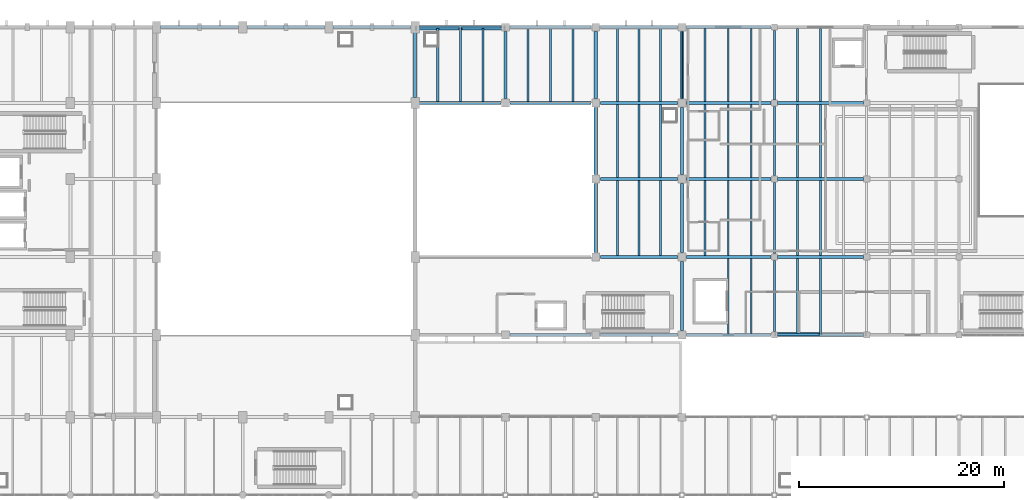
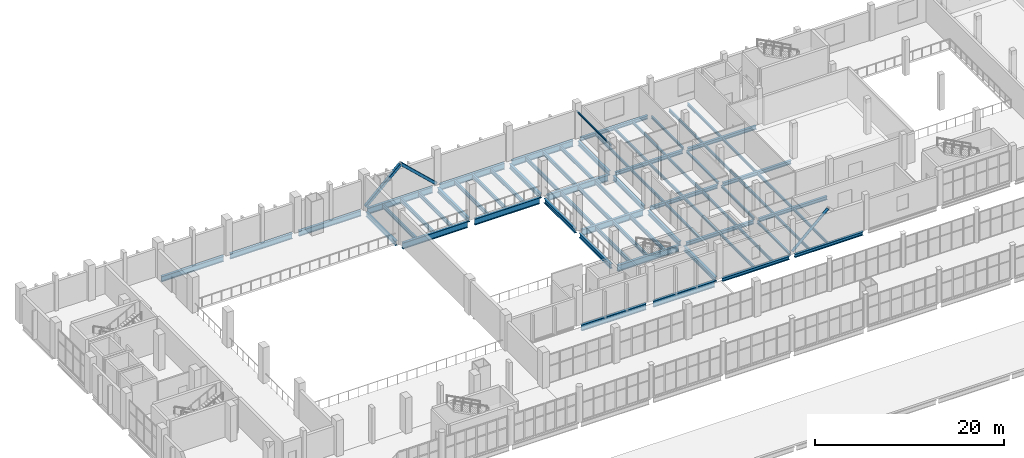
# One storey, part 66 of 136: 70 beams, 3 members.
"""IFC4 building model written with IfcOpenShell, lengths in metres."""

from ifc_helpers import new_model, si_unit, direction, frame, origin, origin_2d, place, context, subcontext, project, spatial, hollow_rectangle, hollow_circle, i_section, extrude, material, material_profile, profile_set, type_object, element, save


model = new_model("IFC4")

# Units and contexts
model_context = context("Model", 3, precision=1e-05, world=origin(), true_north=direction((0.0, 1.0)))
body_context = subcontext(model_context, "Body", "Model", "MODEL_VIEW")
ifc_project = project(units=[si_unit("LENGTHUNIT", "METRE"), si_unit("AREAUNIT", "SQUARE_METRE"), si_unit("VOLUMEUNIT", "CUBIC_METRE"), si_unit("PLANEANGLEUNIT", "RADIAN"), si_unit("MASSUNIT", "GRAM", prefix="KILO")], contexts=[model_context])

# Site, building, storey
site_placement = place(None, origin())
site = spatial("IfcSite", under=ifc_project, at=site_placement, CompositionType="ELEMENT")
building_placement = place(site_placement, origin())
building = spatial("IfcBuilding", under=site, at=building_placement, Name="Shengluoqiao Park Theatre", CompositionType="ELEMENT")
storey_placement = place(building_placement, frame((0.0, 0.0, 10.0)))
storey = spatial("IfcBuildingStorey", under=building, at=storey_placement, Name="L02", CompositionType="ELEMENT", Elevation=10.0)

# Beams
ifc_material_1 = material(Name="Steel Q355", Category="steel")
ifc_material_profile_1 = material_profile(ifc_material_1, i_section(OverallWidth=0.199951171875, OverallDepth=0.2939453125, WebThickness=0.008056640625, FlangeThickness=0.011962890625, FilletRadius=0.01611328125, at=origin_2d()), Name="HM 294x200x8x12")
ifc_profile_set_1 = profile_set([ifc_material_profile_1], Name="Steel Q355")
beam_type_1 = type_object("IfcBeamType", Name="STR-BM-G-HM294", PredefinedType="BEAM", material=ifc_profile_set_1)
beam_1_placement = place(storey_placement, frame((121.39990234375, 84.319091796875, -0.386962890625), z_axis=(0.0, 1.0, 0.0), x_axis=(-1.0, 0.0, 0.0)))
element("IfcBeam", 1, at=beam_1_placement, inside=storey, type_object=beam_type_1, Name="L02 Transverse Girder 01068", PredefinedType="BEAM", context=body_context, shape_type="SweptSolid", body=[
    extrude(i_section(OverallWidth=0.199951171875, OverallDepth=0.2939453125, WebThickness=0.008056640625, FlangeThickness=0.011962890625, FilletRadius=0.01611328125, at=origin_2d()), origin(), (0.0, 0.0, 1.0), 6.9619140625),
])
beam_2_placement = place(storey_placement, frame((121.39990234375, 91.9189453125, -0.386962890625), z_axis=(0.0, 1.0, 0.0), x_axis=(-1.0, 0.0, 0.0)))
element("IfcBeam", 2, at=beam_2_placement, inside=storey, type_object=beam_type_1, Name="L02 Transverse Girder 01069", PredefinedType="BEAM", context=body_context, shape_type="SweptSolid", body=[
    extrude(i_section(OverallWidth=0.199951171875, OverallDepth=0.2939453125, WebThickness=0.008056640625, FlangeThickness=0.011962890625, FilletRadius=0.01611328125, at=origin_2d()), origin(), (0.0, 0.0, 1.0), 6.962158203125),
])
for number, where, z_axis, x_axis, name in (
    (3, (121.39990234375, 99.51904296875, -0.386962890625), (0.0, 1.0, 0.0), (-1.0, 0.0, 0.0), "L02 Transverse Girder 01070"),
    (4, (121.39990234375, 106.9189453125, -0.386962890625), (0.0, 1.0, 0.0), (-1.0, 0.0, 0.0), "L02 Transverse Girder 01071"),
):
    element("IfcBeam", number, at=place(storey_placement, frame(where, z_axis=z_axis, x_axis=x_axis)), inside=storey, type_object=beam_type_1, Name=name, PredefinedType="BEAM", context=body_context, shape_type="SweptSolid", body=[
        extrude(i_section(OverallWidth=0.199951171875, OverallDepth=0.2939453125, WebThickness=0.008056640625, FlangeThickness=0.011962890625, FilletRadius=0.01611328125, at=origin_2d()), origin(), (0.0, 0.0, 1.0), 6.761962890625),
    ])
ifc_material_profile_2 = material_profile(ifc_material_1, i_section(OverallWidth=0.300048828125, OverallDepth=0.43994140625, WebThickness=0.010986328125, FlangeThickness=0.01806640625, FilletRadius=0.02001953125, at=origin_2d()), Name="HM 440x300x11x18")
ifc_profile_set_2 = profile_set([ifc_material_profile_2], Name="Steel Q355")
beam_type_2 = type_object("IfcBeamType", Name="STR-BM-G-HM440", PredefinedType="BEAM", material=ifc_profile_set_2)
beam_3_placement = place(storey_placement, frame((112.843994140625, 84.0, -0.4599609375), z_axis=(1.0, 0.0, 0.0), x_axis=(0.0, 1.0, 0.0)))
element("IfcBeam", 5, at=beam_3_placement, inside=storey, type_object=beam_type_2, Name="L02 Primary Girder 01053", PredefinedType="BEAM", context=body_context, shape_type="SweptSolid", body=[
    extrude(i_section(OverallWidth=0.300048828125, OverallDepth=0.43994140625, WebThickness=0.010986328125, FlangeThickness=0.01806640625, FilletRadius=0.02001953125, at=origin_2d()), origin(), (0.0, 0.0, 1.0), 8.237060546875),
])
beam_4_placement = place(storey_placement, frame((121.718994140625, 84.0, -0.4599609375), z_axis=(1.0, 0.0, 0.0), x_axis=(0.0, 1.0, 0.0)))
element("IfcBeam", 6, at=beam_4_placement, inside=storey, type_object=beam_type_2, Name="L02 Primary Girder 01054", PredefinedType="BEAM", context=body_context, shape_type="SweptSolid", body=[
    extrude(i_section(OverallWidth=0.300048828125, OverallDepth=0.43994140625, WebThickness=0.010986328125, FlangeThickness=0.01806640625, FilletRadius=0.02001953125, at=origin_2d()), origin(), (0.0, 0.0, 1.0), 8.362060546875),
])
beam_5_placement = place(storey_placement, frame((112.843994140625, 91.60009765625, -0.4599609375), z_axis=(1.0, 0.0, 0.0), x_axis=(0.0, 1.0, 0.0)))
element("IfcBeam", 7, at=beam_5_placement, inside=storey, type_object=beam_type_2, Name="L02 Primary Girder 01056", PredefinedType="BEAM", context=body_context, shape_type="SweptSolid", body=[
    extrude(i_section(OverallWidth=0.300048828125, OverallDepth=0.43994140625, WebThickness=0.010986328125, FlangeThickness=0.01806640625, FilletRadius=0.02001953125, at=origin_2d()), origin(), (0.0, 0.0, 1.0), 8.237060546875),
])
beam_6_placement = place(storey_placement, frame((121.718994140625, 91.60009765625, -0.4599609375), z_axis=(1.0, 0.0, 0.0), x_axis=(0.0, 1.0, 0.0)))
element("IfcBeam", 8, at=beam_6_placement, inside=storey, type_object=beam_type_2, Name="L02 Primary Girder 01057", PredefinedType="BEAM", context=body_context, shape_type="SweptSolid", body=[
    extrude(i_section(OverallWidth=0.300048828125, OverallDepth=0.43994140625, WebThickness=0.010986328125, FlangeThickness=0.01806640625, FilletRadius=0.02001953125, at=origin_2d()), origin(), (0.0, 0.0, 1.0), 8.362060546875),
])
beam_7_placement = place(storey_placement, frame((112.843994140625, 99.199951171875, -0.4599609375), z_axis=(1.0, 0.0, 0.0), x_axis=(0.0, 1.0, 0.0)))
element("IfcBeam", 9, at=beam_7_placement, inside=storey, type_object=beam_type_2, Name="L02 Primary Girder 01059", PredefinedType="BEAM", context=body_context, shape_type="SweptSolid", body=[
    extrude(i_section(OverallWidth=0.300048828125, OverallDepth=0.43994140625, WebThickness=0.010986328125, FlangeThickness=0.01806640625, FilletRadius=0.02001953125, at=origin_2d()), origin(), (0.0, 0.0, 1.0), 8.237060546875),
])
beam_8_placement = place(storey_placement, frame((121.718994140625, 99.199951171875, -0.4599609375), z_axis=(1.0, 0.0, 0.0), x_axis=(0.0, 1.0, 0.0)))
element("IfcBeam", 10, at=beam_8_placement, inside=storey, type_object=beam_type_2, Name="L02 Primary Girder 01060", PredefinedType="BEAM", context=body_context, shape_type="SweptSolid", body=[
    extrude(i_section(OverallWidth=0.300048828125, OverallDepth=0.43994140625, WebThickness=0.010986328125, FlangeThickness=0.01806640625, FilletRadius=0.02001953125, at=origin_2d()), origin(), (0.0, 0.0, 1.0), 8.362060546875),
])
beam_9_placement = place(storey_placement, frame((112.843994140625, 106.60009765625, -0.4599609375), z_axis=(1.0, 0.0, 0.0), x_axis=(0.0, 1.0, 0.0)))
element("IfcBeam", 11, at=beam_9_placement, inside=storey, type_object=beam_type_2, Name="L02 Primary Girder 01062", PredefinedType="BEAM", context=body_context, shape_type="SweptSolid", body=[
    extrude(i_section(OverallWidth=0.300048828125, OverallDepth=0.43994140625, WebThickness=0.010986328125, FlangeThickness=0.01806640625, FilletRadius=0.02001953125, at=origin_2d()), origin(), (0.0, 0.0, 1.0), 8.237060546875),
])
beam_10_placement = place(storey_placement, frame((121.718994140625, 106.60009765625, -0.4599609375), z_axis=(1.0, 0.0, 0.0), x_axis=(0.0, 1.0, 0.0)))
element("IfcBeam", 12, at=beam_10_placement, inside=storey, type_object=beam_type_2, Name="L02 Primary Girder 01063", PredefinedType="BEAM", context=body_context, shape_type="SweptSolid", body=[
    extrude(i_section(OverallWidth=0.300048828125, OverallDepth=0.43994140625, WebThickness=0.010986328125, FlangeThickness=0.01806640625, FilletRadius=0.02001953125, at=origin_2d()), origin(), (0.0, 0.0, 1.0), 8.362060546875),
])
beam_11_placement = place(storey_placement, frame((112.843994140625, 114.0, -0.4599609375), z_axis=(1.0, 0.0, 0.0), x_axis=(0.0, 1.0, 0.0)))
element("IfcBeam", 13, at=beam_11_placement, inside=storey, type_object=beam_type_2, Name="L02 Primary Girder 01065", PredefinedType="BEAM", context=body_context, shape_type="SweptSolid", body=[
    extrude(i_section(OverallWidth=0.300048828125, OverallDepth=0.43994140625, WebThickness=0.010986328125, FlangeThickness=0.01806640625, FilletRadius=0.02001953125, at=origin_2d()), origin(), (0.0, 0.0, 1.0), 8.237060546875),
])
ifc_material_profile_3 = material_profile(ifc_material_1, i_section(OverallWidth=0.300048828125, OverallDepth=0.58203125, WebThickness=0.011962890625, FlangeThickness=0.01708984375, FilletRadius=0.02392578125, at=origin_2d()), Name="HM 582x300x12x17")
ifc_profile_set_3 = profile_set([ifc_material_profile_3], Name="Steel Q355")
beam_type_3 = type_object("IfcBeamType", Name="STR-BM-G-HM582", PredefinedType="BEAM", material=ifc_profile_set_3)
beam_12_placement = place(storey_placement, frame((112.39990234375, 84.444091796875, -0.531005859375), z_axis=(0.0, 1.0, 0.0), x_axis=(-1.0, 0.0, 0.0)))
element("IfcBeam", 14, at=beam_12_placement, inside=storey, type_object=beam_type_3, Name="L02 Transverse Girder 00843", PredefinedType="BEAM", context=body_context, shape_type="SweptSolid", body=[
    extrude(i_section(OverallWidth=0.300048828125, OverallDepth=0.58203125, WebThickness=0.011962890625, FlangeThickness=0.01708984375, FilletRadius=0.02392578125, at=origin_2d()), origin(), (0.0, 0.0, 1.0), 6.7119140625),
])
for number, where, z_axis, x_axis, name in (
    (15, (95.199951171875, 107.0439453125, -0.531005859375), (0.0, 1.0, 0.0), (-1.0, 0.0, 0.0), "L02 Transverse Girder 00850"),
    (16, (104.0, 107.0439453125, -0.531005859375), (0.0, 1.0, 0.0), (-1.0, 0.0, 0.0), "L02 Transverse Girder 00851"),
    (17, (112.39990234375, 107.0439453125, -0.531005859375), (0.0, 1.0, 0.0), (-1.0, 0.0, 0.0), "L02 Transverse Girder 00852"),
):
    element("IfcBeam", number, at=place(storey_placement, frame(where, z_axis=z_axis, x_axis=x_axis)), inside=storey, type_object=beam_type_3, Name=name, PredefinedType="BEAM", context=body_context, shape_type="SweptSolid", body=[
        extrude(i_section(OverallWidth=0.300048828125, OverallDepth=0.58203125, WebThickness=0.011962890625, FlangeThickness=0.01708984375, FilletRadius=0.02392578125, at=origin_2d()), origin(), (0.0, 0.0, 1.0), 6.511962890625),
    ])
beam_13_placement = place(storey_placement, frame((104.0, 92.0439453125, -0.531005859375), z_axis=(0.0, 1.0, 0.0), x_axis=(-1.0, 0.0, 0.0)))
element("IfcBeam", 18, at=beam_13_placement, inside=storey, type_object=beam_type_3, Name="L02 Transverse Girder 00863", PredefinedType="BEAM", context=body_context, shape_type="SweptSolid", body=[
    extrude(i_section(OverallWidth=0.300048828125, OverallDepth=0.58203125, WebThickness=0.011962890625, FlangeThickness=0.01708984375, FilletRadius=0.02392578125, at=origin_2d()), origin(), (0.0, 0.0, 1.0), 6.712158203125),
])
beam_14_placement = place(storey_placement, frame((104.0, 99.64404296875, -0.531005859375), z_axis=(0.0, 1.0, 0.0), x_axis=(-1.0, 0.0, 0.0)))
element("IfcBeam", 19, at=beam_14_placement, inside=storey, type_object=beam_type_3, Name="L02 Transverse Girder 00864", PredefinedType="BEAM", context=body_context, shape_type="SweptSolid", body=[
    extrude(i_section(OverallWidth=0.300048828125, OverallDepth=0.58203125, WebThickness=0.011962890625, FlangeThickness=0.01708984375, FilletRadius=0.02392578125, at=origin_2d()), origin(), (0.0, 0.0, 1.0), 6.511962890625),
])
beam_15_placement = place(storey_placement, frame((112.39990234375, 92.0439453125, -0.531005859375), z_axis=(0.0, 1.0, 0.0), x_axis=(-1.0, 0.0, 0.0)))
element("IfcBeam", 20, at=beam_15_placement, inside=storey, type_object=beam_type_3, Name="L02 Transverse Girder 00865", PredefinedType="BEAM", context=body_context, shape_type="SweptSolid", body=[
    extrude(i_section(OverallWidth=0.300048828125, OverallDepth=0.58203125, WebThickness=0.011962890625, FlangeThickness=0.01708984375, FilletRadius=0.02392578125, at=origin_2d()), origin(), (0.0, 0.0, 1.0), 6.712158203125),
])
beam_16_placement = place(storey_placement, frame((112.39990234375, 99.64404296875, -0.531005859375), z_axis=(0.0, 1.0, 0.0), x_axis=(-1.0, 0.0, 0.0)))
element("IfcBeam", 21, at=beam_16_placement, inside=storey, type_object=beam_type_3, Name="L02 Transverse Girder 00866", PredefinedType="BEAM", context=body_context, shape_type="SweptSolid", body=[
    extrude(i_section(OverallWidth=0.300048828125, OverallDepth=0.58203125, WebThickness=0.011962890625, FlangeThickness=0.01708984375, FilletRadius=0.02392578125, at=origin_2d()), origin(), (0.0, 0.0, 1.0), 6.511962890625),
])
ifc_material_profile_4 = material_profile(ifc_material_1, i_section(OverallWidth=0.300048828125, OverallDepth=0.587890625, WebThickness=0.011962890625, FlangeThickness=0.02001953125, FilletRadius=0.02392578125, at=origin_2d()), Name="HM 588x300x12x20")
ifc_profile_set_4 = profile_set([ifc_material_profile_4], Name="Steel Q355")
beam_type_4 = type_object("IfcBeamType", Name="STR-BM-G-HM588", PredefinedType="BEAM", material=ifc_profile_set_4)
beam_17_placement = place(storey_placement, frame((86.39990234375, 107.14404296875, -0.5439453125), z_axis=(0.0, 1.0, 0.0), x_axis=(-1.0, 0.0, 0.0)))
element("IfcBeam", 22, at=beam_17_placement, inside=storey, type_object=beam_type_4, Name="L02 Transverse Girder 00837", PredefinedType="BEAM", context=body_context, shape_type="SweptSolid", body=[
    extrude(i_section(OverallWidth=0.300048828125, OverallDepth=0.587890625, WebThickness=0.011962890625, FlangeThickness=0.02001953125, FilletRadius=0.02392578125, at=origin_2d()), origin(), (0.0, 0.0, 1.0), 6.31201171875),
])
ifc_material_2 = material(Name="Steel Q390", Category="steel")
ifc_material_profile_5 = material_profile(ifc_material_2, i_section(OverallWidth=0.300048828125, OverallDepth=0.699951171875, WebThickness=0.012939453125, FlangeThickness=0.02392578125, FilletRadius=0.02392578125, at=origin_2d()), Name="HN 700x300x13x24")
ifc_profile_set_5 = profile_set([ifc_material_profile_5], Name="Steel Q390")
beam_type_5 = type_object("IfcBeamType", Name="STR-BM-G-HN700", PredefinedType="BEAM", material=ifc_profile_set_5)
for number, where, z_axis, x_axis, name in (
    (23, (61.593994140625, 114.0, -0.60009765625), (1.0, 0.0, 0.0), (0.0, 1.0, 0.0), "L02 Primary Girder 00834"),
    (24, (69.993896484375, 114.0, -0.60009765625), (1.0, 0.0, 0.0), (0.0, 1.0, 0.0), "L02 Primary Girder 00835"),
    (25, (78.39404296875, 114.0, -0.60009765625), (1.0, 0.0, 0.0), (0.0, 1.0, 0.0), "L02 Primary Girder 00836"),
):
    element("IfcBeam", number, at=place(storey_placement, frame(where, z_axis=z_axis, x_axis=x_axis)), inside=storey, type_object=beam_type_5, Name=name, PredefinedType="BEAM", context=body_context, shape_type="SweptSolid", body=[
        extrude(i_section(OverallWidth=0.300048828125, OverallDepth=0.699951171875, WebThickness=0.012939453125, FlangeThickness=0.02392578125, FilletRadius=0.02392578125, at=origin_2d()), origin(), (0.0, 0.0, 1.0), 7.612060546875),
    ])
ifc_material_profile_6 = material_profile(ifc_material_2, i_section(OverallWidth=0.300048828125, OverallDepth=0.800048828125, WebThickness=0.013916015625, FlangeThickness=0.02587890625, FilletRadius=0.02587890625, at=origin_2d()), Name="HN 800x300x14x26")
ifc_profile_set_6 = profile_set([ifc_material_profile_6], Name="Steel Q390")
beam_type_6 = type_object("IfcBeamType", Name="STR-BM-G-HN800", PredefinedType="BEAM", material=ifc_profile_set_6)
beam_18_placement = place(storey_placement, frame((95.64404296875, 84.0, -0.639892578125), z_axis=(1.0, 0.0, 0.0), x_axis=(0.0, 1.0, 0.0)))
element("IfcBeam", 26, at=beam_18_placement, inside=storey, type_object=beam_type_6, Name="L02 Primary Girder 00839", PredefinedType="BEAM", context=body_context, shape_type="SweptSolid", body=[
    extrude(i_section(OverallWidth=0.300048828125, OverallDepth=0.800048828125, WebThickness=0.013916015625, FlangeThickness=0.02587890625, FilletRadius=0.02587890625, at=origin_2d()), origin(), (0.0, 0.0, 1.0), 7.911865234375),
])
for number, where, z_axis, x_axis, name in (
    (27, (104.444091796875, 84.0, -0.639892578125), (1.0, 0.0, 0.0), (0.0, 1.0, 0.0), "L02 Primary Girder 00840"),
    (28, (104.444091796875, 91.60009765625, -0.639892578125), (1.0, 0.0, 0.0), (0.0, 1.0, 0.0), "L02 Primary Girder 00842"),
):
    element("IfcBeam", number, at=place(storey_placement, frame(where, z_axis=z_axis, x_axis=x_axis)), inside=storey, type_object=beam_type_6, Name=name, PredefinedType="BEAM", context=body_context, shape_type="SweptSolid", body=[
        extrude(i_section(OverallWidth=0.300048828125, OverallDepth=0.800048828125, WebThickness=0.013916015625, FlangeThickness=0.02587890625, FilletRadius=0.02587890625, at=origin_2d()), origin(), (0.0, 0.0, 1.0), 7.511962890625),
    ])
beam_19_placement = place(storey_placement, frame((86.7939453125, 106.60009765625, -0.64990234375), z_axis=(1.0, 0.0, 0.0), x_axis=(0.0, 1.0, 0.0)))
element("IfcBeam", 29, at=beam_19_placement, inside=storey, type_object=beam_type_6, Name="L02 Primary Girder 00844", PredefinedType="BEAM", context=body_context, shape_type="SweptSolid", body=[
    extrude(i_section(OverallWidth=0.300048828125, OverallDepth=0.800048828125, WebThickness=0.013916015625, FlangeThickness=0.02587890625, FilletRadius=0.02587890625, at=origin_2d()), origin(), (0.0, 0.0, 1.0), 7.962158203125),
])
beam_20_placement = place(storey_placement, frame((95.64404296875, 106.60009765625, -0.639892578125), z_axis=(1.0, 0.0, 0.0), x_axis=(0.0, 1.0, 0.0)))
element("IfcBeam", 30, at=beam_20_placement, inside=storey, type_object=beam_type_6, Name="L02 Primary Girder 00845", PredefinedType="BEAM", context=body_context, shape_type="SweptSolid", body=[
    extrude(i_section(OverallWidth=0.300048828125, OverallDepth=0.800048828125, WebThickness=0.013916015625, FlangeThickness=0.02587890625, FilletRadius=0.02587890625, at=origin_2d()), origin(), (0.0, 0.0, 1.0), 7.911865234375),
])
beam_21_placement = place(storey_placement, frame((104.444091796875, 106.60009765625, -0.639892578125), z_axis=(1.0, 0.0, 0.0), x_axis=(0.0, 1.0, 0.0)))
element("IfcBeam", 31, at=beam_21_placement, inside=storey, type_object=beam_type_6, Name="L02 Primary Girder 00846", PredefinedType="BEAM", context=body_context, shape_type="SweptSolid", body=[
    extrude(i_section(OverallWidth=0.300048828125, OverallDepth=0.800048828125, WebThickness=0.013916015625, FlangeThickness=0.02587890625, FilletRadius=0.02587890625, at=origin_2d()), origin(), (0.0, 0.0, 1.0), 7.511962890625),
])
beam_22_placement = place(storey_placement, frame((86.7939453125, 114.0, -0.64990234375), z_axis=(1.0, 0.0, 0.0), x_axis=(0.0, 1.0, 0.0)))
element("IfcBeam", 32, at=beam_22_placement, inside=storey, type_object=beam_type_6, Name="L02 Primary Girder 00847", PredefinedType="BEAM", context=body_context, shape_type="SweptSolid", body=[
    extrude(i_section(OverallWidth=0.300048828125, OverallDepth=0.800048828125, WebThickness=0.013916015625, FlangeThickness=0.02587890625, FilletRadius=0.02587890625, at=origin_2d()), origin(), (0.0, 0.0, 1.0), 7.962158203125),
])
beam_23_placement = place(storey_placement, frame((95.64404296875, 114.0, -0.639892578125), z_axis=(1.0, 0.0, 0.0), x_axis=(0.0, 1.0, 0.0)))
element("IfcBeam", 33, at=beam_23_placement, inside=storey, type_object=beam_type_6, Name="L02 Primary Girder 00848", PredefinedType="BEAM", context=body_context, shape_type="SweptSolid", body=[
    extrude(i_section(OverallWidth=0.300048828125, OverallDepth=0.800048828125, WebThickness=0.013916015625, FlangeThickness=0.02587890625, FilletRadius=0.02587890625, at=origin_2d()), origin(), (0.0, 0.0, 1.0), 7.911865234375),
])
for number, where, z_axis, x_axis, name in (
    (34, (104.444091796875, 114.0, -0.639892578125), (1.0, 0.0, 0.0), (0.0, 1.0, 0.0), "L02 Primary Girder 00849"),
    (35, (104.444091796875, 99.199951171875, -0.639892578125), (1.0, 0.0, 0.0), (0.0, 1.0, 0.0), "L02 Primary Girder 00862"),
):
    element("IfcBeam", number, at=place(storey_placement, frame(where, z_axis=z_axis, x_axis=x_axis)), inside=storey, type_object=beam_type_6, Name=name, PredefinedType="BEAM", context=body_context, shape_type="SweptSolid", body=[
        extrude(i_section(OverallWidth=0.300048828125, OverallDepth=0.800048828125, WebThickness=0.013916015625, FlangeThickness=0.02587890625, FilletRadius=0.02587890625, at=origin_2d()), origin(), (0.0, 0.0, 1.0), 7.511962890625),
    ])
ifc_material_profile_7 = material_profile(ifc_material_1, i_section(OverallWidth=0.175048828125, OverallDepth=0.35009765625, WebThickness=0.007080078125, FlangeThickness=0.010986328125, FilletRadius=0.013916015625, at=origin_2d()), Name="HN 350x175x7x11")
ifc_profile_set_7 = profile_set([ifc_material_profile_7], Name="Steel Q355")
beam_type_7 = type_object("IfcBeamType", Name="STR-BM-J-HN350", PredefinedType="JOIST", material=ifc_profile_set_7)
for number, where, z_axis, x_axis, name in (
    (36, (116.89990234375, 84.14501953125, -0.4150390625), (0.0, 1.0, 0.0), (-1.0, 0.0, 0.0), "L02 Composite Joist 01079"),
    (37, (119.14990234375, 84.14501953125, -0.4150390625), (0.0, 1.0, 0.0), (-1.0, 0.0, 0.0), "L02 Composite Joist 01080"),
):
    element("IfcBeam", number, at=place(storey_placement, frame(where, z_axis=z_axis, x_axis=x_axis)), inside=storey, type_object=beam_type_7, Name=name, PredefinedType="JOIST", context=body_context, shape_type="SweptSolid", body=[
        extrude(i_section(OverallWidth=0.175048828125, OverallDepth=0.35009765625, WebThickness=0.007080078125, FlangeThickness=0.010986328125, FilletRadius=0.013916015625, at=origin_2d()), origin(), (0.0, 0.0, 1.0), 7.31005859375),
    ])
for number, where, z_axis, x_axis, name in (
    (38, (114.64990234375, 91.7451171875, -0.4150390625), (0.0, 1.0, 0.0), (-1.0, 0.0, 0.0), "L02 Composite Joist 01081"),
    (39, (116.89990234375, 91.7451171875, -0.4150390625), (0.0, 1.0, 0.0), (-1.0, 0.0, 0.0), "L02 Composite Joist 01082"),
    (40, (119.14990234375, 91.7451171875, -0.4150390625), (0.0, 1.0, 0.0), (-1.0, 0.0, 0.0), "L02 Composite Joist 01083"),
):
    element("IfcBeam", number, at=place(storey_placement, frame(where, z_axis=z_axis, x_axis=x_axis)), inside=storey, type_object=beam_type_7, Name=name, PredefinedType="JOIST", context=body_context, shape_type="SweptSolid", body=[
        extrude(i_section(OverallWidth=0.175048828125, OverallDepth=0.35009765625, WebThickness=0.007080078125, FlangeThickness=0.010986328125, FilletRadius=0.013916015625, at=origin_2d()), origin(), (0.0, 0.0, 1.0), 7.309814453125),
    ])
for number, where, z_axis, x_axis, name in (
    (41, (114.64990234375, 99.344970703125, -0.4150390625), (0.0, 1.0, 0.0), (-1.0, 0.0, 0.0), "L02 Composite Joist 01084"),
    (42, (116.89990234375, 99.344970703125, -0.4150390625), (0.0, 1.0, 0.0), (-1.0, 0.0, 0.0), "L02 Composite Joist 01085"),
    (43, (119.14990234375, 99.344970703125, -0.4150390625), (0.0, 1.0, 0.0), (-1.0, 0.0, 0.0), "L02 Composite Joist 01086"),
):
    element("IfcBeam", number, at=place(storey_placement, frame(where, z_axis=z_axis, x_axis=x_axis)), inside=storey, type_object=beam_type_7, Name=name, PredefinedType="JOIST", context=body_context, shape_type="SweptSolid", body=[
        extrude(i_section(OverallWidth=0.175048828125, OverallDepth=0.35009765625, WebThickness=0.007080078125, FlangeThickness=0.010986328125, FilletRadius=0.013916015625, at=origin_2d()), origin(), (0.0, 0.0, 1.0), 7.110107421875),
    ])
for number, where, z_axis, x_axis, name in (
    (44, (114.64990234375, 106.7451171875, -0.4150390625), (0.0, 1.0, 0.0), (-1.0, 0.0, 0.0), "L02 Composite Joist 01087"),
    (45, (116.89990234375, 106.7451171875, -0.4150390625), (0.0, 1.0, 0.0), (-1.0, 0.0, 0.0), "L02 Composite Joist 01088"),
    (46, (119.14990234375, 106.7451171875, -0.4150390625), (0.0, 1.0, 0.0), (-1.0, 0.0, 0.0), "L02 Composite Joist 01089"),
):
    element("IfcBeam", number, at=place(storey_placement, frame(where, z_axis=z_axis, x_axis=x_axis)), inside=storey, type_object=beam_type_7, Name=name, PredefinedType="JOIST", context=body_context, shape_type="SweptSolid", body=[
        extrude(i_section(OverallWidth=0.175048828125, OverallDepth=0.35009765625, WebThickness=0.007080078125, FlangeThickness=0.010986328125, FilletRadius=0.013916015625, at=origin_2d()), origin(), (0.0, 0.0, 1.0), 7.10986328125),
    ])
for number, where, z_axis, x_axis, name in (
    (47, (123.64990234375, 84.14501953125, -0.4150390625), (0.0, 1.0, 0.0), (-1.0, 0.0, 0.0), "L02 Composite Joist 01090"),
    (48, (125.89990234375, 84.14501953125, -0.4150390625), (0.0, 1.0, 0.0), (-1.0, 0.0, 0.0), "L02 Composite Joist 01091"),
):
    element("IfcBeam", number, at=place(storey_placement, frame(where, z_axis=z_axis, x_axis=x_axis)), inside=storey, type_object=beam_type_7, Name=name, PredefinedType="JOIST", context=body_context, shape_type="SweptSolid", body=[
        extrude(i_section(OverallWidth=0.175048828125, OverallDepth=0.35009765625, WebThickness=0.007080078125, FlangeThickness=0.010986328125, FilletRadius=0.013916015625, at=origin_2d()), origin(), (0.0, 0.0, 1.0), 7.31005859375),
    ])
for number, where, z_axis, x_axis, name in (
    (49, (123.64990234375, 91.7451171875, -0.4150390625), (0.0, 1.0, 0.0), (-1.0, 0.0, 0.0), "L02 Composite Joist 01093"),
    (50, (125.89990234375, 91.7451171875, -0.4150390625), (0.0, 1.0, 0.0), (-1.0, 0.0, 0.0), "L02 Composite Joist 01094"),
):
    element("IfcBeam", number, at=place(storey_placement, frame(where, z_axis=z_axis, x_axis=x_axis)), inside=storey, type_object=beam_type_7, Name=name, PredefinedType="JOIST", context=body_context, shape_type="SweptSolid", body=[
        extrude(i_section(OverallWidth=0.175048828125, OverallDepth=0.35009765625, WebThickness=0.007080078125, FlangeThickness=0.010986328125, FilletRadius=0.013916015625, at=origin_2d()), origin(), (0.0, 0.0, 1.0), 7.309814453125),
    ])
for number, where, z_axis, x_axis, name in (
    (51, (123.64990234375, 99.344970703125, -0.4150390625), (0.0, 1.0, 0.0), (-1.0, 0.0, 0.0), "L02 Composite Joist 01096"),
    (52, (125.89990234375, 99.344970703125, -0.4150390625), (0.0, 1.0, 0.0), (-1.0, 0.0, 0.0), "L02 Composite Joist 01097"),
):
    element("IfcBeam", number, at=place(storey_placement, frame(where, z_axis=z_axis, x_axis=x_axis)), inside=storey, type_object=beam_type_7, Name=name, PredefinedType="JOIST", context=body_context, shape_type="SweptSolid", body=[
        extrude(i_section(OverallWidth=0.175048828125, OverallDepth=0.35009765625, WebThickness=0.007080078125, FlangeThickness=0.010986328125, FilletRadius=0.013916015625, at=origin_2d()), origin(), (0.0, 0.0, 1.0), 7.110107421875),
    ])
for number, where, z_axis, x_axis, name in (
    (53, (123.64990234375, 106.7451171875, -0.4150390625), (0.0, 1.0, 0.0), (-1.0, 0.0, 0.0), "L02 Composite Joist 01099"),
    (54, (125.89990234375, 106.7451171875, -0.4150390625), (0.0, 1.0, 0.0), (-1.0, 0.0, 0.0), "L02 Composite Joist 01100"),
):
    element("IfcBeam", number, at=place(storey_placement, frame(where, z_axis=z_axis, x_axis=x_axis)), inside=storey, type_object=beam_type_7, Name=name, PredefinedType="JOIST", context=body_context, shape_type="SweptSolid", body=[
        extrude(i_section(OverallWidth=0.175048828125, OverallDepth=0.35009765625, WebThickness=0.007080078125, FlangeThickness=0.010986328125, FilletRadius=0.013916015625, at=origin_2d()), origin(), (0.0, 0.0, 1.0), 7.10986328125),
    ])
ifc_material_profile_8 = material_profile(ifc_material_1, i_section(OverallWidth=0.199951171875, OverallDepth=0.5, WebThickness=0.010009765625, FlangeThickness=0.01611328125, FilletRadius=0.01806640625, at=origin_2d()), Name="HN 500x200x10x16")
ifc_profile_set_8 = profile_set([ifc_material_profile_8], Name="Steel Q355")
beam_type_8 = type_object("IfcBeamType", Name="STR-BM-J-HN500", PredefinedType="JOIST", material=ifc_profile_set_8)
for number, where, z_axis, x_axis, name in (
    (55, (88.60009765625, 106.7451171875, -0.489990234375), (0.0, 1.0, 0.0), (-1.0, 0.0, 0.0), "L02 Composite Joist 00853"),
    (56, (90.800048828125, 106.7451171875, -0.489990234375), (0.0, 1.0, 0.0), (-1.0, 0.0, 0.0), "L02 Composite Joist 00854"),
    (57, (93.0, 106.7451171875, -0.489990234375), (0.0, 1.0, 0.0), (-1.0, 0.0, 0.0), "L02 Composite Joist 00855"),
    (58, (97.39990234375, 106.7451171875, -0.489990234375), (0.0, 1.0, 0.0), (-1.0, 0.0, 0.0), "L02 Composite Joist 00856"),
    (59, (99.60009765625, 106.7451171875, -0.489990234375), (0.0, 1.0, 0.0), (-1.0, 0.0, 0.0), "L02 Composite Joist 00857"),
    (60, (101.800048828125, 106.7451171875, -0.489990234375), (0.0, 1.0, 0.0), (-1.0, 0.0, 0.0), "L02 Composite Joist 00858"),
    (61, (106.10009765625, 106.7451171875, -0.489990234375), (0.0, 1.0, 0.0), (-1.0, 0.0, 0.0), "L02 Composite Joist 00859"),
    (62, (108.199951171875, 106.7451171875, -0.489990234375), (0.0, 1.0, 0.0), (-1.0, 0.0, 0.0), "L02 Composite Joist 00860"),
    (63, (110.300048828125, 106.7451171875, -0.489990234375), (0.0, 1.0, 0.0), (-1.0, 0.0, 0.0), "L02 Composite Joist 00861"),
):
    element("IfcBeam", number, at=place(storey_placement, frame(where, z_axis=z_axis, x_axis=x_axis)), inside=storey, type_object=beam_type_8, Name=name, PredefinedType="JOIST", context=body_context, shape_type="SweptSolid", body=[
        extrude(i_section(OverallWidth=0.199951171875, OverallDepth=0.5, WebThickness=0.010009765625, FlangeThickness=0.01611328125, FilletRadius=0.01806640625, at=origin_2d()), origin(), (0.0, 0.0, 1.0), 7.10986328125),
    ])
for number, where, z_axis, x_axis, name in (
    (64, (106.10009765625, 91.7451171875, -0.489990234375), (0.0, 1.0, 0.0), (-1.0, 0.0, 0.0), "L02 Composite Joist 00867"),
    (65, (108.199951171875, 91.7451171875, -0.489990234375), (0.0, 1.0, 0.0), (-1.0, 0.0, 0.0), "L02 Composite Joist 00868"),
    (66, (110.300048828125, 91.7451171875, -0.489990234375), (0.0, 1.0, 0.0), (-1.0, 0.0, 0.0), "L02 Composite Joist 00869"),
):
    element("IfcBeam", number, at=place(storey_placement, frame(where, z_axis=z_axis, x_axis=x_axis)), inside=storey, type_object=beam_type_8, Name=name, PredefinedType="JOIST", context=body_context, shape_type="SweptSolid", body=[
        extrude(i_section(OverallWidth=0.199951171875, OverallDepth=0.5, WebThickness=0.010009765625, FlangeThickness=0.01611328125, FilletRadius=0.01806640625, at=origin_2d()), origin(), (0.0, 0.0, 1.0), 7.309814453125),
    ])
for number, where, z_axis, x_axis, name in (
    (67, (106.10009765625, 99.344970703125, -0.489990234375), (0.0, 1.0, 0.0), (-1.0, 0.0, 0.0), "L02 Composite Joist 00870"),
    (68, (108.199951171875, 99.344970703125, -0.489990234375), (0.0, 1.0, 0.0), (-1.0, 0.0, 0.0), "L02 Composite Joist 00871"),
    (69, (110.300048828125, 99.344970703125, -0.489990234375), (0.0, 1.0, 0.0), (-1.0, 0.0, 0.0), "L02 Composite Joist 00872"),
):
    element("IfcBeam", number, at=place(storey_placement, frame(where, z_axis=z_axis, x_axis=x_axis)), inside=storey, type_object=beam_type_8, Name=name, PredefinedType="JOIST", context=body_context, shape_type="SweptSolid", body=[
        extrude(i_section(OverallWidth=0.199951171875, OverallDepth=0.5, WebThickness=0.010009765625, FlangeThickness=0.01611328125, FilletRadius=0.01806640625, at=origin_2d()), origin(), (0.0, 0.0, 1.0), 7.110107421875),
    ])
ifc_material_profile_9 = material_profile(ifc_material_1, i_section(OverallWidth=0.14990234375, OverallDepth=0.194091796875, WebThickness=0.006103515625, FlangeThickness=0.009033203125, FilletRadius=0.012939453125, at=origin_2d()), Name="HM 194x150x6x9")
ifc_profile_set_9 = profile_set([ifc_material_profile_9], Name="Steel Q355")
beam_type_9 = type_object("IfcBeamType", Name="STR-BM-LN-HM194", PredefinedType="LINTEL", material=ifc_profile_set_9)
beam_24_placement = place(storey_placement, frame((112.39990234375, 106.60009765625, 3.300048828125), z_axis=(0.0, 1.0, 0.0), x_axis=(-1.0, 0.0, 0.0)))
element("IfcBeam", 70, at=beam_24_placement, inside=storey, type_object=beam_type_9, Name="L02 Structural Door Lintel 06", PredefinedType="LINTEL", context=body_context, shape_type="SweptSolid", body=[
    extrude(i_section(OverallWidth=0.14990234375, OverallDepth=0.194091796875, WebThickness=0.006103515625, FlangeThickness=0.009033203125, FilletRadius=0.012939453125, at=origin_2d()), origin(), (0.0, 0.0, 1.0), 7.39990234375),
])

# Members
ifc_material_profile_10 = material_profile(ifc_material_1, hollow_circle(Radius=0.16259765625, WallThickness=0.013916015625, at=origin_2d()), Name="CHS 325x14")
ifc_profile_set_10 = profile_set([ifc_material_profile_10], Name="Steel Q355")
member_type_1 = type_object("IfcMemberType", Name="STR-MEM-BRC-325", PredefinedType="BRACE", material=ifc_profile_set_10)
member_placement = place(storey_placement, frame((121.489990234375, 84.080078125, 0.102294921875), z_axis=(0.735835523568, 0.0, 0.677160307649), x_axis=(0.0, 1.0, 0.0)))
element("IfcMember", 71, at=member_placement, inside=storey, type_object=member_type_1, Name="L02 Chevron Brace 0029", PredefinedType="BRACE", context=body_context, shape_type="SweptSolid", body=[
    extrude(hollow_circle(Radius=0.16259765625, WallThickness=0.013916015625, at=origin_2d()), origin(), (0.0, 0.0, 1.0), 5.962646484375),
])
ifc_material_profile_11 = material_profile(ifc_material_2, hollow_rectangle(XDim=0.35009765625, YDim=0.35009765625, WallThickness=0.01611328125, InnerFilletRadius=0.01611328125, OuterFilletRadius=0.031982421875, at=origin_2d()), Name="RHS 350x350x16")
ifc_profile_set_11 = profile_set([ifc_material_profile_11], Name="Steel Q390")
member_type_2 = type_object("IfcMemberType", Name="STR-MEM-BRR-350", PredefinedType="BRACE", material=ifc_profile_set_11)
for number, where, z_axis, x_axis, name in (
    (72, (86.488037109375, 113.8798828125, 0.102294921875), (0.729055709325, 0.0, 0.684454361298), (0.0, 1.0, 0.0), "L02 Chevron Brace 0005"),
    (73, (95.112060546875, 113.8798828125, 0.102294921875), (-0.729055709325, 0.0, 0.684454361298), (0.0, -1.0, 0.0), "L02 Chevron Brace 0006"),
):
    element("IfcMember", number, at=place(storey_placement, frame(where, z_axis=z_axis, x_axis=x_axis)), inside=storey, type_object=member_type_2, Name=name, PredefinedType="BRACE", context=body_context, shape_type="SweptSolid", body=[
        extrude(hollow_rectangle(XDim=0.35009765625, YDim=0.35009765625, WallThickness=0.01611328125, InnerFilletRadius=0.01611328125, OuterFilletRadius=0.031982421875, at=origin_2d()), origin(), (0.0, 0.0, 1.0), 5.88427734375),
    ])

save(model, "model.ifc")
